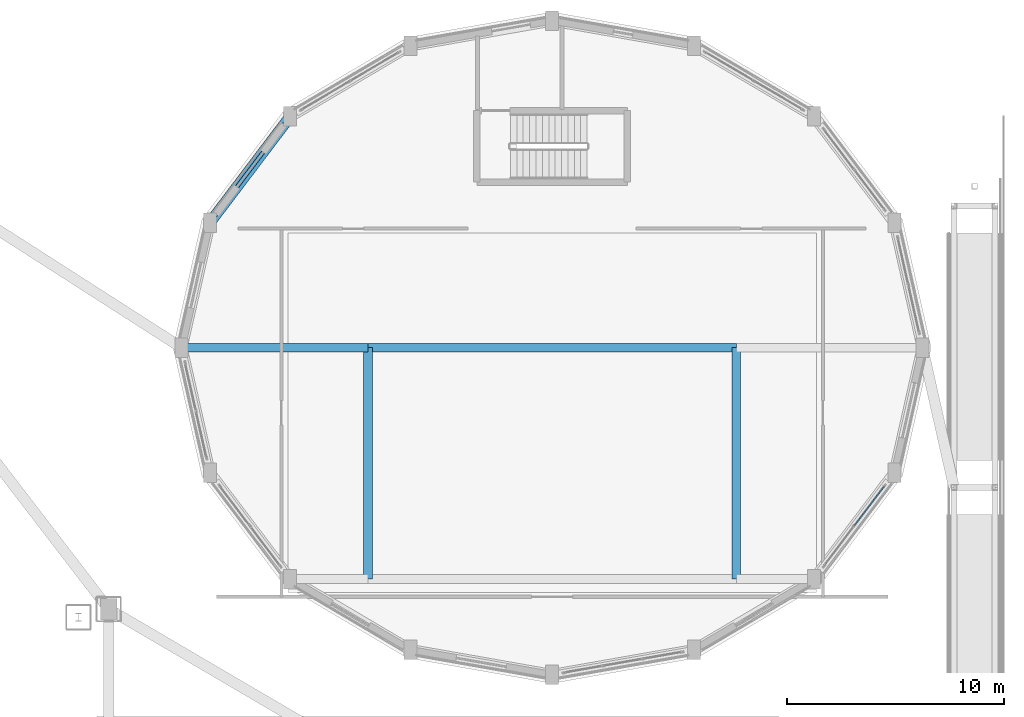
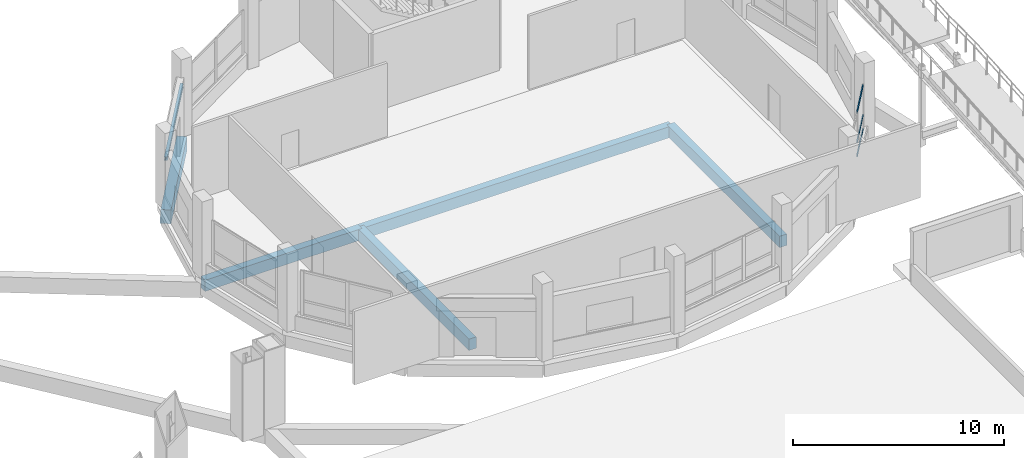
# One storey, part 92 of 129: 6 beams, 3 members, 1 element without a shape of its own.
"""IFC4 building model written with IfcOpenShell, lengths in metres."""

from ifc_helpers import new_model, si_unit, direction, frame, origin, origin_2d, place, context, subcontext, project, spatial, rectangle, hollow_rectangle, i_section, extrude, material, layer, layer_set, material_profile, profile_set, type_object, element, aggregate, save


model = new_model("IFC4")

# Units and contexts
model_context = context("Model", 3, precision=1e-05, world=origin(), true_north=direction((0.0, 1.0)))
body_context = subcontext(model_context, "Body", "Model", "MODEL_VIEW")
ifc_project = project(units=[si_unit("LENGTHUNIT", "METRE"), si_unit("AREAUNIT", "SQUARE_METRE"), si_unit("VOLUMEUNIT", "CUBIC_METRE"), si_unit("PLANEANGLEUNIT", "RADIAN"), si_unit("MASSUNIT", "GRAM", prefix="KILO")], contexts=[model_context])

# Site, building, storey
site_placement = place(None, origin())
site = spatial("IfcSite", under=ifc_project, at=site_placement, CompositionType="ELEMENT")
building_placement = place(site_placement, origin())
building = spatial("IfcBuilding", under=site, at=building_placement, Name="Vespera Passage Community Centre", CompositionType="ELEMENT")
storey_placement = place(building_placement, origin())
storey = spatial("IfcBuildingStorey", under=building, at=storey_placement, Name="L00", CompositionType="ELEMENT", Elevation=0.0)

# Beams
ifc_material_1 = material(Name="Concrete f'c 35 MPa", Category="concrete")
ifc_material_profile_1 = material_profile(ifc_material_1, rectangle(XDim=0.39990234375, YDim=0.64990234375, at=origin_2d()), Name="RC400X650")
ifc_profile_set_1 = profile_set([ifc_material_profile_1], Name="Concrete f'c 35 MPa")
beam_type_1 = type_object("IfcBeamType", Name="BM-G-400X650", PredefinedType="BEAM", material=ifc_profile_set_1)
beam_1_placement = place(storey_placement, frame((125.89990234375, 89.5, -0.60498046875), z_axis=(1.0, 0.0, 0.0), x_axis=(0.0, 1.0, 0.0)))
element("IfcBeam", 1, at=beam_1_placement, inside=storey, type_object=beam_type_1, Name="V2 L00 Court Girder 2.1", PredefinedType="BEAM", context=body_context, shape_type="SweptSolid", body=[
    extrude(rectangle(XDim=0.39990234375, YDim=0.64990234375, at=origin_2d()), origin(), (0.0, 0.0, 1.0), 8.60009765625),
])
beam_2_placement = place(storey_placement, frame((134.5, 89.5, -0.60498046875), z_axis=(1.0, 0.0, 0.0), x_axis=(0.0, 1.0, 0.0)))
element("IfcBeam", 2, at=beam_2_placement, inside=storey, type_object=beam_type_1, Name="V2 L00 Court Girder 2.2", PredefinedType="BEAM", context=body_context, shape_type="SweptSolid", body=[
    extrude(rectangle(XDim=0.39990234375, YDim=0.64990234375, at=origin_2d()), origin(), (0.0, 0.0, 1.0), 17.0),
])
for number, where, z_axis, x_axis, name in (
    (3, (134.5, 78.82275390625, -0.60498046875), (0.0, 1.0, 0.0), (-1.0, 0.0, 0.0), "V2 L00 Interior Tie Girder 1"),
    (4, (151.5, 78.82275390625, -0.60498046875), (0.0, 1.0, 0.0), (-1.0, 0.0, 0.0), "V2 L00 Interior Tie Girder 2"),
):
    element("IfcBeam", number, at=place(storey_placement, frame(where, z_axis=z_axis, x_axis=x_axis)), inside=storey, type_object=beam_type_1, Name=name, PredefinedType="BEAM", context=body_context, shape_type="SweptSolid", body=[
        extrude(rectangle(XDim=0.39990234375, YDim=0.64990234375, at=origin_2d()), origin(), (0.0, 0.0, 1.0), 10.67724609375),
    ])
ifc_material_2 = material(Name="Steel ASTM A992 Grade 50", Category="steel")
ifc_material_profile_2 = material_profile(ifc_material_2, i_section(OverallWidth=0.1650390625, OverallDepth=0.201416015625, WebThickness=0.006103515625, FlangeThickness=0.01025390625, FilletRadius=0.01025390625, at=origin_2d()), Name="W8X24")
ifc_profile_set_2 = profile_set([ifc_material_profile_2], Name="Steel ASTM A992 Grade 50")
beam_type_2 = type_object("IfcBeamType", Name="BM-LN-W8X24E", PredefinedType="LINTEL", material=ifc_profile_set_2)
beam_3_placement = place(storey_placement, frame((127.20166015625, 95.278564453125, 2.679931640625), z_axis=(0.603409203322, 0.797431710773, 0.0), x_axis=(-0.797431710773, 0.603409203322, 0.0)))
element("IfcBeam", 5, at=beam_3_placement, inside=storey, type_object=beam_type_2, Name="Sports Exit Canopy Lintel 7", PredefinedType="LINTEL", context=body_context, shape_type="SweptSolid", body=[
    extrude(i_section(OverallWidth=0.1650390625, OverallDepth=0.201416015625, WebThickness=0.006103515625, FlangeThickness=0.01025390625, FilletRadius=0.01025390625, at=origin_2d()), origin(), (0.0, 0.0, 1.0), 6.14306640625),
])
ifc_material_3 = material(Name="Concrete f'c 35 MPa", Category="concrete")
ifc_material_profile_3 = material_profile(ifc_material_3, rectangle(XDim=0.5, YDim=0.800048828125, at=origin_2d()), Name="RC500X800")
ifc_profile_set_3 = profile_set([ifc_material_profile_3], Name="Concrete f'c 35 MPa")
beam_type_3 = type_object("IfcBeamType", Name="BM-SP-500X800E", PredefinedType="SPANDREL", material=ifc_profile_set_3)
beam_4_placement = place(storey_placement, frame((130.908447265625, 100.17724609375, -0.679931640625), z_axis=(-0.603409203322, -0.797431710773, 0.0), x_axis=(0.797431710773, -0.603409203322, 0.0)))
element("IfcBeam", 6, at=beam_4_placement, inside=storey, type_object=beam_type_3, Name="V2 L00 Perimeter Spandrel 7", PredefinedType="SPANDREL", context=body_context, shape_type="SweptSolid", body=[
    extrude(rectangle(XDim=0.5, YDim=0.800048828125, at=origin_2d()), origin(), (0.0, 0.0, 1.0), 6.14306640625),
])

# Curtain wall, members
ifc_material_4 = material(Name="Anodized aluminium 6063-T6", Category="aluminium")
ifc_layer = layer(ifc_material_4, 0.159912109375)
ifc_layer_set = layer_set([ifc_layer], Name="Anodized aluminium 6063-T6")
curtain_wall_type = type_object("IfcCurtainWallType", Name="CW-90E", PredefinedType="NOTDEFINED", material=ifc_layer_set)
curtain_wall_placement = place(storey_placement, origin())
curtain_wall = element("IfcCurtainWall", 7, at=curtain_wall_placement, inside=storey, type_object=curtain_wall_type, Name="Sports Drum Ribbon Curtain Wall L00.15", PredefinedType="NOTDEFINED")
ifc_material_5 = material(Name="Anodized aluminium 6063-T6", Category="aluminium")
ifc_material_profile_4 = material_profile(ifc_material_5, hollow_rectangle(XDim=0.06005859375, YDim=0.1201171875, WallThickness=0.00390625, InnerFilletRadius=0.001953125, OuterFilletRadius=0.00390625, at=origin_2d()), Name="ALU120X60X4")
ifc_profile_set_4 = profile_set([ifc_material_profile_4], Name="Anodized aluminium 6063-T6")
member_type = type_object("IfcMemberType", Name="MB-CWT-120E", PredefinedType="USERDEFINED", material=ifc_profile_set_4)
member_1_placement = place(storey_placement, frame((158.3232421875, 83.09375, 0.8798828125), z_axis=(-0.603384780926, -0.797450190386, 0.0), x_axis=(0.797450190386, -0.603384780926, 0.0)))
member_1 = element("IfcMember", 8, at=member_1_placement, type_object=member_type, Name="CW-90E transom 1.1", ObjectType="TRANSOM", PredefinedType="USERDEFINED", context=body_context, shape_type="SweptSolid", body=[
    extrude(hollow_rectangle(XDim=0.06005859375, YDim=0.1201171875, WallThickness=0.00390625, InnerFilletRadius=0.001953125, OuterFilletRadius=0.00390625, at=origin_2d()), origin(), (0.0, 0.0, 1.0), 2.246826171875),
])
member_2_placement = place(storey_placement, frame((158.3232421875, 83.09375, 1.699951171875), z_axis=(-0.603384780926, -0.797450190386, 0.0), x_axis=(0.797450190386, -0.603384780926, 0.0)))
member_2 = element("IfcMember", 9, at=member_2_placement, type_object=member_type, Name="CW-90E transom 1.2", ObjectType="TRANSOM", PredefinedType="USERDEFINED", context=body_context, shape_type="SweptSolid", body=[
    extrude(hollow_rectangle(XDim=0.06005859375, YDim=0.1201171875, WallThickness=0.00390625, InnerFilletRadius=0.001953125, OuterFilletRadius=0.00390625, at=origin_2d()), origin(), (0.0, 0.0, 1.0), 2.246826171875),
])
member_3_placement = place(storey_placement, frame((158.3232421875, 83.09375, 3.39501953125), z_axis=(-0.603384780926, -0.797450190386, 0.0), x_axis=(0.797450190386, -0.603384780926, 0.0)))
member_3 = element("IfcMember", 10, at=member_3_placement, type_object=member_type, Name="CW-90E transom 1.3", ObjectType="TRANSOM", PredefinedType="USERDEFINED", context=body_context, shape_type="SweptSolid", body=[
    extrude(hollow_rectangle(XDim=0.06005859375, YDim=0.1201171875, WallThickness=0.00390625, InnerFilletRadius=0.001953125, OuterFilletRadius=0.00390625, at=origin_2d()), origin(), (0.0, 0.0, 1.0), 2.246826171875),
])
aggregate(curtain_wall, [member_1, member_2, member_3])

save(model, "model.ifc")
